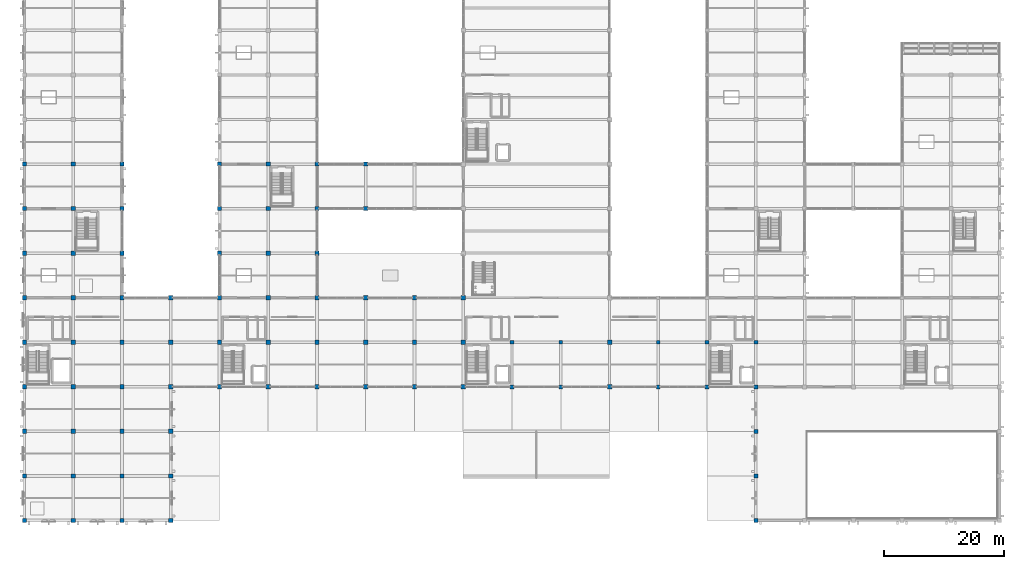
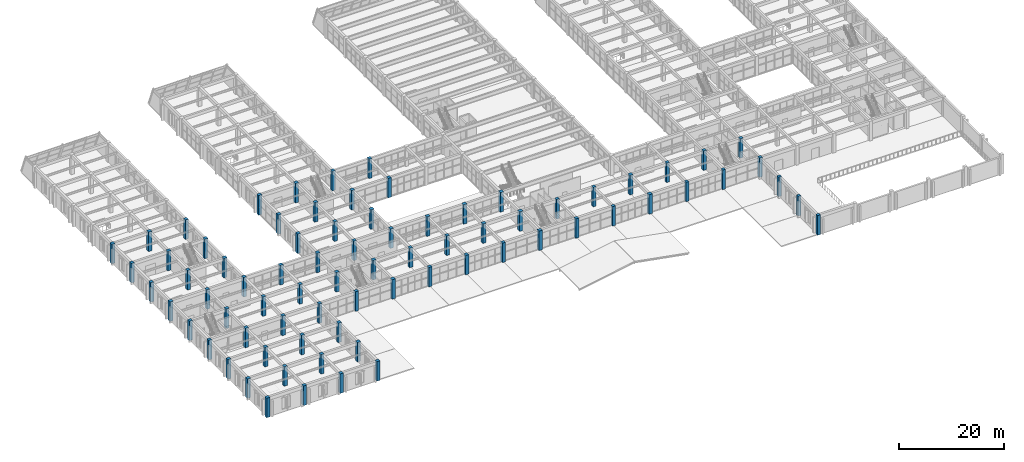
# One storey, part 1 of 161: 77 columns.
"""IFC4 building model written with IfcOpenShell, lengths in metres."""

from ifc_helpers import new_model, si_unit, direction, frame, origin, origin_2d, place, context, subcontext, project, spatial, rectangle, extrude, material, material_profile, profile_set, type_object, element, save


model = new_model("IFC4")

# Units and contexts
model_context = context("Model", 3, precision=1e-05, world=origin(), true_north=direction((0.0, 1.0)))
body_context = subcontext(model_context, "Body", "Model", "MODEL_VIEW")
ifc_project = project(units=[si_unit("LENGTHUNIT", "METRE"), si_unit("AREAUNIT", "SQUARE_METRE"), si_unit("VOLUMEUNIT", "CUBIC_METRE"), si_unit("PLANEANGLEUNIT", "RADIAN"), si_unit("MASSUNIT", "GRAM", prefix="KILO")], contexts=[model_context])

# Site, building, storey
site_placement = place(None, origin())
site = spatial("IfcSite", under=ifc_project, at=site_placement, CompositionType="ELEMENT")
building_placement = place(site_placement, origin())
building = spatial("IfcBuilding", under=site, at=building_placement, Name="Cimatlan Art Gallery", CompositionType="ELEMENT")
storey_placement = place(building_placement, frame((0.0, 0.0, 5.39990234375)))
storey = spatial("IfcBuildingStorey", under=building, at=storey_placement, Name="L01", CompositionType="ELEMENT", Elevation=5.39990234375)

# Columns
ifc_material = material(Name="Concrete C45/55", Category="concrete")
ifc_material_profile_1 = material_profile(ifc_material, rectangle(XDim=0.64990234375, YDim=0.64990234375, at=origin_2d()), Name="RC650X650")
ifc_profile_set_1 = profile_set([ifc_material_profile_1], Name="Concrete C45/55")
column_type_1 = type_object("IfcColumnType", Name="COL-RC-650", PredefinedType="COLUMN", material=ifc_profile_set_1)
for number, where, z_axis, x_axis, name in (
    (1, (83.0, 23.89990234375, 0.0), (0.0, 0.0, 1.0), (1.0, 0.0, 0.0), "COL-L01-10-03"),
    (2, (83.0, 31.300048828125, 0.0), (0.0, 0.0, 1.0), (1.0, 0.0, 0.0), "COL-L01-10-04"),
    (3, (91.10009765625, 23.89990234375, 0.0), (0.0, 0.0, 1.0), (1.0, 0.0, 0.0), "COL-L01-11-03"),
    (4, (91.10009765625, 31.300048828125, 0.0), (0.0, 0.0, 1.0), (1.0, 0.0, 0.0), "COL-L01-11-04"),
    (5, (107.300048828125, 23.89990234375, 0.0), (0.0, 0.0, 1.0), (1.0, 0.0, 0.0), "COL-L01-13-03"),
    (6, (107.300048828125, 31.300048828125, 0.0), (0.0, 0.0, 1.0), (1.0, 0.0, 0.0), "COL-L01-13-04"),
    (7, (115.39990234375, 23.89990234375, 0.0), (0.0, 0.0, 1.0), (1.0, 0.0, 0.0), "COL-L01-14-03"),
    (8, (115.39990234375, 31.300048828125, 0.0), (0.0, 0.0, 1.0), (1.0, 0.0, 0.0), "COL-L01-14-04"),
    (9, (123.5, 1.699951171875, 0.0), (0.0, 0.0, 1.0), (1.0, 0.0, 0.0), "COL-L01-15-00"),
    (10, (123.5, 9.10009765625, 0.0), (0.0, 0.0, 1.0), (1.0, 0.0, 0.0), "COL-L01-15-01"),
    (11, (123.5, 16.5, 0.0), (0.0, 0.0, 1.0), (1.0, 0.0, 0.0), "COL-L01-15-02"),
    (12, (123.5, 23.89990234375, 0.0), (0.0, 0.0, 1.0), (1.0, 0.0, 0.0), "COL-L01-15-03"),
    (13, (123.5, 31.300048828125, 0.0), (0.0, 0.0, 1.0), (1.0, 0.0, 0.0), "COL-L01-15-04"),
):
    element("IfcColumn", number, at=place(storey_placement, frame(where, z_axis=z_axis, x_axis=x_axis)), inside=storey, type_object=column_type_1, Name=name, PredefinedType="COLUMN", context=body_context, shape_type="SweptSolid", body=[
        extrude(rectangle(XDim=0.64990234375, YDim=0.64990234375, at=origin_2d()), origin(), (0.0, 0.0, 1.0), 4.56005859375),
    ])
ifc_material_profile_2 = material_profile(ifc_material, rectangle(XDim=0.699951171875, YDim=0.699951171875, at=origin_2d()), Name="RC700X700")
ifc_profile_set_2 = profile_set([ifc_material_profile_2], Name="Concrete C45/55")
column_type_2 = type_object("IfcColumnType", Name="COL-RC-700", PredefinedType="COLUMN", material=ifc_profile_set_2)
for number, where, z_axis, x_axis, name in (
    (14, (2.0, 1.699951171875, 0.0), (0.0, 0.0, 1.0), (1.0, 0.0, 0.0), "COL-L01-00-00"),
    (15, (2.0, 9.10009765625, 0.0), (0.0, 0.0, 1.0), (1.0, 0.0, 0.0), "COL-L01-00-01"),
    (16, (2.0, 16.5, 0.0), (0.0, 0.0, 1.0), (1.0, 0.0, 0.0), "COL-L01-00-02"),
    (17, (2.0, 23.89990234375, 0.0), (0.0, 0.0, 1.0), (1.0, 0.0, 0.0), "COL-L01-00-03"),
    (18, (2.0, 31.300048828125, 0.0), (0.0, 0.0, 1.0), (1.0, 0.0, 0.0), "COL-L01-00-04"),
    (19, (2.0, 38.699951171875, 0.0), (0.0, 0.0, 1.0), (1.0, 0.0, 0.0), "COL-L01-00-05"),
    (20, (2.0, 46.10009765625, 0.0), (0.0, 0.0, 1.0), (1.0, 0.0, 0.0), "COL-L01-00-06"),
    (21, (2.0, 53.5, 0.0), (0.0, 0.0, 1.0), (1.0, 0.0, 0.0), "COL-L01-00-07"),
    (22, (2.0, 60.89990234375, 0.0), (0.0, 0.0, 1.0), (1.0, 0.0, 0.0), "COL-L01-00-08"),
    (23, (10.10009765625, 1.699951171875, 0.0), (0.0, 0.0, 1.0), (1.0, 0.0, 0.0), "COL-L01-01-00"),
    (24, (10.10009765625, 9.10009765625, 0.0), (0.0, 0.0, 1.0), (1.0, 0.0, 0.0), "COL-L01-01-01"),
    (25, (10.10009765625, 16.5, 0.0), (0.0, 0.0, 1.0), (1.0, 0.0, 0.0), "COL-L01-01-02"),
    (26, (10.10009765625, 23.89990234375, 0.0), (0.0, 0.0, 1.0), (1.0, 0.0, 0.0), "COL-L01-01-03"),
    (27, (10.10009765625, 31.300048828125, 0.0), (0.0, 0.0, 1.0), (1.0, 0.0, 0.0), "COL-L01-01-04"),
    (28, (10.10009765625, 38.699951171875, 0.0), (0.0, 0.0, 1.0), (1.0, 0.0, 0.0), "COL-L01-01-05"),
    (29, (10.10009765625, 46.10009765625, 0.0), (0.0, 0.0, 1.0), (1.0, 0.0, 0.0), "COL-L01-01-06"),
    (30, (10.10009765625, 53.5, 0.0), (0.0, 0.0, 1.0), (1.0, 0.0, 0.0), "COL-L01-01-07"),
    (31, (10.10009765625, 60.89990234375, 0.0), (0.0, 0.0, 1.0), (1.0, 0.0, 0.0), "COL-L01-01-08"),
    (32, (18.199951171875, 1.699951171875, 0.0), (0.0, 0.0, 1.0), (1.0, 0.0, 0.0), "COL-L01-02-00"),
    (33, (18.199951171875, 9.10009765625, 0.0), (0.0, 0.0, 1.0), (1.0, 0.0, 0.0), "COL-L01-02-01"),
    (34, (18.199951171875, 16.5, 0.0), (0.0, 0.0, 1.0), (1.0, 0.0, 0.0), "COL-L01-02-02"),
    (35, (18.199951171875, 23.89990234375, 0.0), (0.0, 0.0, 1.0), (1.0, 0.0, 0.0), "COL-L01-02-03"),
    (36, (18.199951171875, 31.300048828125, 0.0), (0.0, 0.0, 1.0), (1.0, 0.0, 0.0), "COL-L01-02-04"),
    (37, (18.199951171875, 38.699951171875, 0.0), (0.0, 0.0, 1.0), (1.0, 0.0, 0.0), "COL-L01-02-05"),
    (38, (18.199951171875, 46.10009765625, 0.0), (0.0, 0.0, 1.0), (1.0, 0.0, 0.0), "COL-L01-02-06"),
    (39, (18.199951171875, 53.5, 0.0), (0.0, 0.0, 1.0), (1.0, 0.0, 0.0), "COL-L01-02-07"),
    (40, (18.199951171875, 60.89990234375, 0.0), (0.0, 0.0, 1.0), (1.0, 0.0, 0.0), "COL-L01-02-08"),
    (41, (26.300048828125, 1.699951171875, 0.0), (0.0, 0.0, 1.0), (1.0, 0.0, 0.0), "COL-L01-03-00"),
    (42, (26.300048828125, 9.10009765625, 0.0), (0.0, 0.0, 1.0), (1.0, 0.0, 0.0), "COL-L01-03-01"),
    (43, (26.300048828125, 16.5, 0.0), (0.0, 0.0, 1.0), (1.0, 0.0, 0.0), "COL-L01-03-02"),
    (44, (26.300048828125, 23.89990234375, 0.0), (0.0, 0.0, 1.0), (1.0, 0.0, 0.0), "COL-L01-03-03"),
    (45, (26.300048828125, 31.300048828125, 0.0), (0.0, 0.0, 1.0), (1.0, 0.0, 0.0), "COL-L01-03-04"),
    (46, (26.300048828125, 38.699951171875, 0.0), (0.0, 0.0, 1.0), (1.0, 0.0, 0.0), "COL-L01-03-05"),
    (47, (34.39990234375, 23.89990234375, 0.0), (0.0, 0.0, 1.0), (1.0, 0.0, 0.0), "COL-L01-04-03"),
    (48, (34.39990234375, 31.300048828125, 0.0), (0.0, 0.0, 1.0), (1.0, 0.0, 0.0), "COL-L01-04-04"),
    (49, (34.39990234375, 38.699951171875, 0.0), (0.0, 0.0, 1.0), (1.0, 0.0, 0.0), "COL-L01-04-05"),
    (50, (34.39990234375, 46.10009765625, 0.0), (0.0, 0.0, 1.0), (1.0, 0.0, 0.0), "COL-L01-04-06"),
    (51, (34.39990234375, 53.5, 0.0), (0.0, 0.0, 1.0), (1.0, 0.0, 0.0), "COL-L01-04-07"),
    (52, (34.39990234375, 60.89990234375, 0.0), (0.0, 0.0, 1.0), (1.0, 0.0, 0.0), "COL-L01-04-08"),
    (53, (42.5, 23.89990234375, 0.0), (0.0, 0.0, 1.0), (1.0, 0.0, 0.0), "COL-L01-05-03"),
    (54, (42.5, 31.300048828125, 0.0), (0.0, 0.0, 1.0), (1.0, 0.0, 0.0), "COL-L01-05-04"),
    (55, (42.5, 38.699951171875, 0.0), (0.0, 0.0, 1.0), (1.0, 0.0, 0.0), "COL-L01-05-05"),
    (56, (42.5, 46.10009765625, 0.0), (0.0, 0.0, 1.0), (1.0, 0.0, 0.0), "COL-L01-05-06"),
    (57, (42.5, 53.5, 0.0), (0.0, 0.0, 1.0), (1.0, 0.0, 0.0), "COL-L01-05-07"),
    (58, (42.5, 60.89990234375, 0.0), (0.0, 0.0, 1.0), (1.0, 0.0, 0.0), "COL-L01-05-08"),
    (59, (50.60009765625, 23.89990234375, 0.0), (0.0, 0.0, 1.0), (1.0, 0.0, 0.0), "COL-L01-06-03"),
    (60, (50.60009765625, 31.300048828125, 0.0), (0.0, 0.0, 1.0), (1.0, 0.0, 0.0), "COL-L01-06-04"),
    (61, (50.60009765625, 38.699951171875, 0.0), (0.0, 0.0, 1.0), (1.0, 0.0, 0.0), "COL-L01-06-05"),
    (62, (50.60009765625, 46.10009765625, 0.0), (0.0, 0.0, 1.0), (1.0, 0.0, 0.0), "COL-L01-06-06"),
    (63, (50.60009765625, 53.5, 0.0), (0.0, 0.0, 1.0), (1.0, 0.0, 0.0), "COL-L01-06-07"),
    (64, (50.60009765625, 60.89990234375, 0.0), (0.0, 0.0, 1.0), (1.0, 0.0, 0.0), "COL-L01-06-08"),
    (65, (58.699951171875, 23.89990234375, 0.0), (0.0, 0.0, 1.0), (1.0, 0.0, 0.0), "COL-L01-07-03"),
    (66, (58.699951171875, 31.300048828125, 0.0), (0.0, 0.0, 1.0), (1.0, 0.0, 0.0), "COL-L01-07-04"),
    (67, (58.699951171875, 38.699951171875, 0.0), (0.0, 0.0, 1.0), (1.0, 0.0, 0.0), "COL-L01-07-05"),
    (68, (58.699951171875, 53.5, 0.0), (0.0, 0.0, 1.0), (1.0, 0.0, 0.0), "COL-L01-07-07"),
    (69, (58.699951171875, 60.89990234375, 0.0), (0.0, 0.0, 1.0), (1.0, 0.0, 0.0), "COL-L01-07-08"),
    (70, (66.800048828125, 23.89990234375, 0.0), (0.0, 0.0, 1.0), (1.0, 0.0, 0.0), "COL-L01-08-03"),
    (71, (66.800048828125, 31.300048828125, 0.0), (0.0, 0.0, 1.0), (1.0, 0.0, 0.0), "COL-L01-08-04"),
    (72, (66.800048828125, 38.699951171875, 0.0), (0.0, 0.0, 1.0), (1.0, 0.0, 0.0), "COL-L01-08-05"),
):
    element("IfcColumn", number, at=place(storey_placement, frame(where, z_axis=z_axis, x_axis=x_axis)), inside=storey, type_object=column_type_2, Name=name, PredefinedType="COLUMN", context=body_context, shape_type="SweptSolid", body=[
        extrude(rectangle(XDim=0.699951171875, YDim=0.699951171875, at=origin_2d()), origin(), (0.0, 0.0, 1.0), 4.56005859375),
    ])
ifc_material_profile_3 = material_profile(ifc_material, rectangle(XDim=0.75, YDim=0.75, at=origin_2d()), Name="RC750X750")
ifc_profile_set_3 = profile_set([ifc_material_profile_3], Name="Concrete C45/55")
column_type_3 = type_object("IfcColumnType", Name="COL-RC-750", PredefinedType="COLUMN", material=ifc_profile_set_3)
for number, where, z_axis, x_axis, name in (
    (73, (74.89990234375, 23.89990234375, 0.0), (0.0, 0.0, 1.0), (1.0, 0.0, 0.0), "COL-L01-09-03"),
    (74, (74.89990234375, 31.300048828125, 0.0), (0.0, 0.0, 1.0), (1.0, 0.0, 0.0), "COL-L01-09-04"),
    (75, (74.89990234375, 38.699951171875, 0.0), (0.0, 0.0, 1.0), (1.0, 0.0, 0.0), "COL-L01-09-05"),
    (76, (99.199951171875, 23.89990234375, 0.0), (0.0, 0.0, 1.0), (1.0, 0.0, 0.0), "COL-L01-12-03"),
    (77, (99.199951171875, 31.300048828125, 0.0), (0.0, 0.0, 1.0), (1.0, 0.0, 0.0), "COL-L01-12-04"),
):
    element("IfcColumn", number, at=place(storey_placement, frame(where, z_axis=z_axis, x_axis=x_axis)), inside=storey, type_object=column_type_3, Name=name, PredefinedType="COLUMN", context=body_context, shape_type="SweptSolid", body=[
        extrude(rectangle(XDim=0.75, YDim=0.75, at=origin_2d()), origin(), (0.0, 0.0, 1.0), 4.56005859375),
    ])

save(model, "model.ifc")
